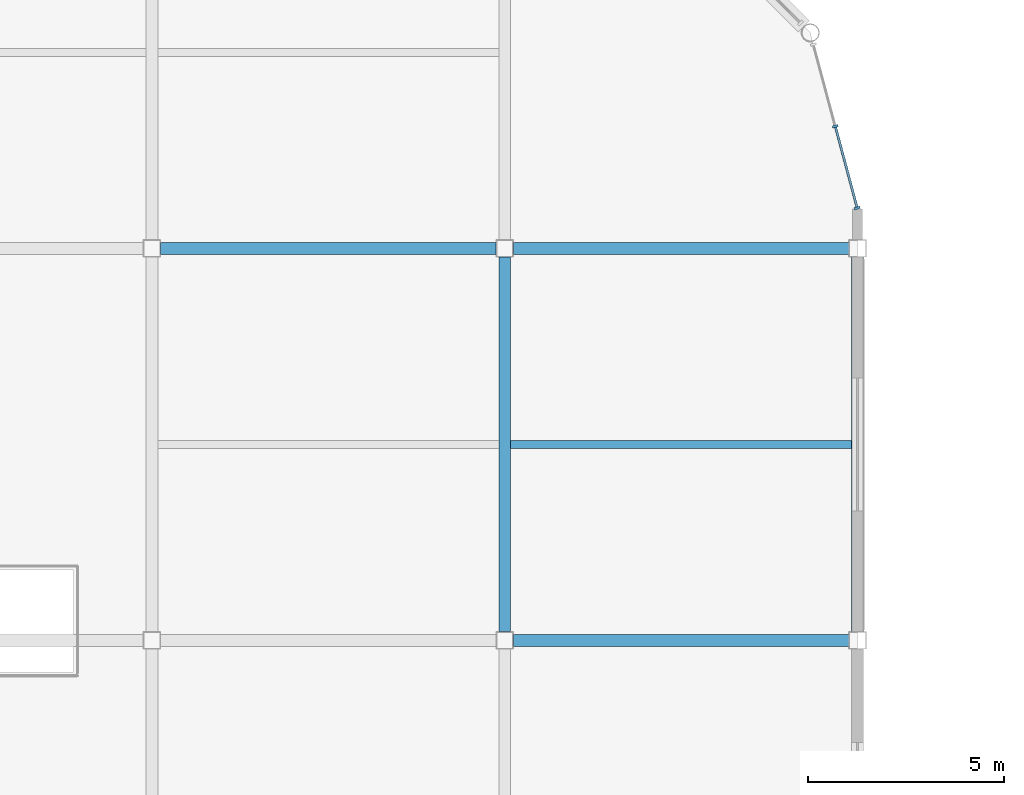
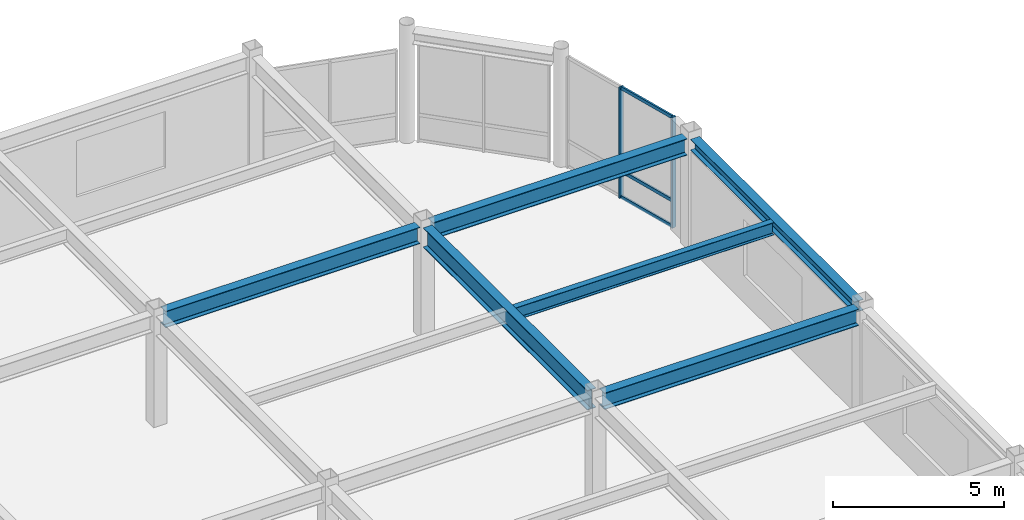
# One storey, part 47 of 105: 6 beams, 5 members, 1 element without a shape of its own.
"""IFC4 building model written with IfcOpenShell, lengths in metres."""

from ifc_helpers import new_model, si_unit, direction, frame, origin, origin_2d, place, context, subcontext, project, spatial, rectangle, i_section, extrude, material, material_profile, profile_set, type_object, element, aggregate, save


model = new_model("IFC4")

# Units and contexts
model_context = context("Model", 3, precision=1e-05, world=origin(), true_north=direction((0.0, 1.0)))
body_context = subcontext(model_context, "Body", "Model", "MODEL_VIEW")
ifc_project = project(units=[si_unit("LENGTHUNIT", "METRE"), si_unit("AREAUNIT", "SQUARE_METRE"), si_unit("VOLUMEUNIT", "CUBIC_METRE"), si_unit("PLANEANGLEUNIT", "RADIAN"), si_unit("MASSUNIT", "GRAM", prefix="KILO")], contexts=[model_context])

# Site, building, storey
site_placement = place(None, origin())
site = spatial("IfcSite", under=ifc_project, at=site_placement, CompositionType="ELEMENT")
building_placement = place(site_placement, origin())
building = spatial("IfcBuilding", under=site, at=building_placement, Name="Suzunagisa Mobility Hub", CompositionType="ELEMENT")
storey_placement = place(building_placement, frame((0.0, 0.0, 5.10009765625)))
storey = spatial("IfcBuildingStorey", under=building, at=storey_placement, Name="L01", CompositionType="ELEMENT", Elevation=5.10009765625)

# Curtain wall, members
ifc_material_1 = material(Name="Thermally Broken Anodized Aluminum and Low-E Glazing", Category="aluminium")
curtain_wall_type = type_object("IfcCurtainWallType", Name="Unitised Curtain Wall CW-48 4500x3900", PredefinedType="USERDEFINED", material=ifc_material_1)
curtain_wall_placement = place(storey_placement, origin())
curtain_wall = element("IfcCurtainWall", 1, at=curtain_wall_placement, inside=storey, type_object=curtain_wall_type, Name="L01 Unitised Curtain Wall CW-104", ObjectType="UNITISED CURTAIN WALL", PredefinedType="USERDEFINED")
ifc_material_2 = material(Name="Anodized Aluminum 6063-T6", Category="aluminium")
ifc_material_profile_1 = material_profile(ifc_material_2, rectangle(XDim=0.06005859375, YDim=0.1201171875, at=origin_2d()), Name="TRAN-60x120")
ifc_profile_set_1 = profile_set([ifc_material_profile_1], Name="Anodized Aluminum 6063-T6")
member_type_1 = type_object("IfcMemberType", Name="Curtain Wall Framing CM-02 TRAN-60x120", PredefinedType="USERDEFINED", material=ifc_profile_set_1)
member_1_placement = place(storey_placement, frame((125.985107421875, 109.055908203125, 0.02978515625), z_axis=(-0.258832778908, 0.965922146222, 0.0), x_axis=(-0.965922146222, -0.258832778908, 0.0)))
member_1 = element("IfcMember", 2, at=member_1_placement, type_object=member_type_1, Name="Curtain Wall Transom 104-T1.1", ObjectType="TRANSOM", PredefinedType="USERDEFINED", context=body_context, shape_type="SweptSolid", body=[
    extrude(rectangle(XDim=0.06005859375, YDim=0.1201171875, at=origin_2d()), origin(), (0.0, 0.0, 1.0), 2.103515625),
])
member_2_placement = place(storey_placement, frame((125.985107421875, 109.055908203125, 0.949951171875), z_axis=(-0.258832778908, 0.965922146222, 0.0), x_axis=(-0.965922146222, -0.258832778908, 0.0)))
member_2 = element("IfcMember", 3, at=member_2_placement, type_object=member_type_1, Name="Curtain Wall Transom 104-T1.2", ObjectType="TRANSOM", PredefinedType="USERDEFINED", context=body_context, shape_type="SweptSolid", body=[
    extrude(rectangle(XDim=0.06005859375, YDim=0.1201171875, at=origin_2d()), origin(), (0.0, 0.0, 1.0), 2.103515625),
])
member_3_placement = place(storey_placement, frame((125.985107421875, 109.055908203125, 3.909912109375), z_axis=(-0.258832778908, 0.965922146222, 0.0), x_axis=(-0.965922146222, -0.258832778908, 0.0)))
member_3 = element("IfcMember", 4, at=member_3_placement, type_object=member_type_1, Name="Curtain Wall Transom 104-T1.3", ObjectType="TRANSOM", PredefinedType="USERDEFINED", context=body_context, shape_type="SweptSolid", body=[
    extrude(rectangle(XDim=0.06005859375, YDim=0.1201171875, at=origin_2d()), origin(), (0.0, 0.0, 1.0), 2.103515625),
])
ifc_material_profile_2 = material_profile(ifc_material_2, rectangle(XDim=0.06005859375, YDim=0.14990234375, at=origin_2d()), Name="MULL-60x150")
ifc_profile_set_2 = profile_set([ifc_material_profile_2], Name="Anodized Aluminum 6063-T6")
member_type_2 = type_object("IfcMemberType", Name="Curtain Wall Framing CM-03 MULL-60x150", PredefinedType="MULLION", material=ifc_profile_set_2)
member_4_placement = place(storey_placement, frame((125.9921875, 109.029052734375, 0.0), z_axis=(0.0, 0.0, 1.0), x_axis=(-0.258815230137, 0.965926848498, 0.0)))
member_4 = element("IfcMember", 5, at=member_4_placement, type_object=member_type_2, Name="Curtain Wall Mullion 104-M1", PredefinedType="MULLION", context=body_context, shape_type="SweptSolid", body=[
    extrude(rectangle(XDim=0.06005859375, YDim=0.14990234375, at=origin_2d()), origin(), (0.0, 0.0, 1.0), 3.93994140625),
])
member_5_placement = place(storey_placement, frame((125.433349609375, 111.11474609375, 0.0), z_axis=(0.0, 0.0, 1.0), x_axis=(-0.258815230137, 0.965926848498, 0.0)))
member_5 = element("IfcMember", 6, at=member_5_placement, type_object=member_type_2, Name="Curtain Wall Mullion 104-M2", PredefinedType="MULLION", context=body_context, shape_type="SweptSolid", body=[
    extrude(rectangle(XDim=0.06005859375, YDim=0.14990234375, at=origin_2d()), origin(), (0.0, 0.0, 1.0), 3.93994140625),
])
aggregate(curtain_wall, [member_4, member_5, member_1, member_2, member_3])

# Beams
ifc_material_3 = material(Name="Steel SN400B", Category="steel")
ifc_material_profile_3 = material_profile(ifc_material_3, i_section(OverallWidth=0.199951171875, OverallDepth=0.449951171875, WebThickness=0.009033203125, FlangeThickness=0.013916015625, FilletRadius=0.012939453125, at=origin_2d()), Name="H-450x200x9x14")
ifc_profile_set_3 = profile_set([ifc_material_profile_3], Name="Steel SN400B")
beam_type_1 = type_object("IfcBeamType", Name="Steel Beam BM-05 H-450x200x9x14", PredefinedType="JOIST", material=ifc_profile_set_3)
beam_1_placement = place(storey_placement, frame((117.14990234375, 103.0, 3.71484375), z_axis=(1.0, 0.0, 0.0), x_axis=(0.0, 1.0, 0.0)))
element("IfcBeam", 7, at=beam_1_placement, inside=storey, type_object=beam_type_1, Name="L01 Composite Floor Joist J-914", PredefinedType="JOIST", context=body_context, shape_type="SweptSolid", body=[
    extrude(i_section(OverallWidth=0.199951171875, OverallDepth=0.449951171875, WebThickness=0.009033203125, FlangeThickness=0.013916015625, FilletRadius=0.012939453125, at=origin_2d()), origin(), (0.0, 0.0, 1.0), 8.7001953125),
])
ifc_material_4 = material(Name="Steel SN490B", Category="steel")
ifc_material_profile_4 = material_profile(ifc_material_4, i_section(OverallWidth=0.300048828125, OverallDepth=0.699951171875, WebThickness=0.012939453125, FlangeThickness=0.02392578125, FilletRadius=0.01806640625, at=origin_2d()), Name="H-700x300x13x24")
ifc_profile_set_4 = profile_set([ifc_material_profile_4], Name="Steel SN490B")
beam_type_2 = type_object("IfcBeamType", Name="Steel Beam BM-11 H-700x300x13x24", PredefinedType="BEAM", material=ifc_profile_set_4)
beam_2_placement = place(storey_placement, frame((117.0, 98.220947265625, 3.58984375), z_axis=(0.0, 1.0, 0.0), x_axis=(-1.0, 0.0, 0.0)))
element("IfcBeam", 8, at=beam_2_placement, inside=storey, type_object=beam_type_2, Name="L01 Primary Girder GY-880", PredefinedType="BEAM", context=body_context, shape_type="SweptSolid", body=[
    extrude(i_section(OverallWidth=0.300048828125, OverallDepth=0.699951171875, WebThickness=0.012939453125, FlangeThickness=0.02392578125, FilletRadius=0.01806640625, at=origin_2d()), origin(), (0.0, 0.0, 1.0), 9.55810546875),
])
ifc_material_profile_5 = material_profile(ifc_material_4, i_section(OverallWidth=0.300048828125, OverallDepth=0.389892578125, WebThickness=0.010009765625, FlangeThickness=0.01611328125, FilletRadius=0.012939453125, at=origin_2d()), Name="H-390x300x10x16")
ifc_profile_set_5 = profile_set([ifc_material_profile_5], Name="Steel SN490B")
beam_type_3 = type_object("IfcBeamType", Name="Steel Beam BM-13 H-390x300x10x16", PredefinedType="SPANDREL", material=ifc_profile_set_5)
beam_3_placement = place(storey_placement, frame((126.0, 98.220947265625, 3.744873046875), z_axis=(0.0, 1.0, 0.0), x_axis=(-1.0, 0.0, 0.0)))
element("IfcBeam", 9, at=beam_3_placement, inside=storey, type_object=beam_type_3, Name="L01 Primary Girder GY-884", PredefinedType="SPANDREL", context=body_context, shape_type="SweptSolid", body=[
    extrude(i_section(OverallWidth=0.300048828125, OverallDepth=0.389892578125, WebThickness=0.010009765625, FlangeThickness=0.01611328125, FilletRadius=0.012939453125, at=origin_2d()), origin(), (0.0, 0.0, 1.0), 9.55810546875),
])
ifc_material_profile_6 = material_profile(ifc_material_4, i_section(OverallWidth=0.300048828125, OverallDepth=0.587890625, WebThickness=0.011962890625, FlangeThickness=0.02001953125, FilletRadius=0.012939453125, at=origin_2d()), Name="H-588x300x12x20")
ifc_profile_set_6 = profile_set([ifc_material_profile_6], Name="Steel SN490B")
beam_type_4 = type_object("IfcBeamType", Name="Steel Beam BM-16 H-588x300x12x20", PredefinedType="BEAM", material=ifc_profile_set_6)
for number, where, z_axis, x_axis, name in (
    (10, (117.220947265625, 98.0, 3.64599609375), (1.0, 0.0, 0.0), (0.0, 1.0, 0.0), "L01 Primary Girder GX-828"),
    (11, (108.220947265625, 108.0, 3.64599609375), (1.0, 0.0, 0.0), (0.0, 1.0, 0.0), "L01 Primary Girder GX-836"),
    (12, (117.220947265625, 108.0, 3.64599609375), (1.0, 0.0, 0.0), (0.0, 1.0, 0.0), "L01 Primary Girder GX-837"),
):
    element("IfcBeam", number, at=place(storey_placement, frame(where, z_axis=z_axis, x_axis=x_axis)), inside=storey, type_object=beam_type_4, Name=name, PredefinedType="BEAM", context=body_context, shape_type="SweptSolid", body=[
        extrude(i_section(OverallWidth=0.300048828125, OverallDepth=0.587890625, WebThickness=0.011962890625, FlangeThickness=0.02001953125, FilletRadius=0.012939453125, at=origin_2d()), origin(), (0.0, 0.0, 1.0), 8.55810546875),
    ])

save(model, "model.ifc")
